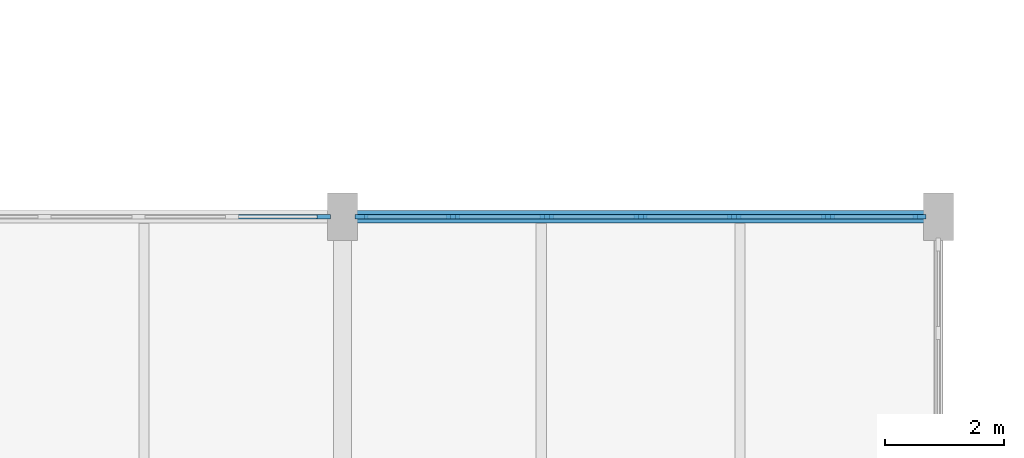
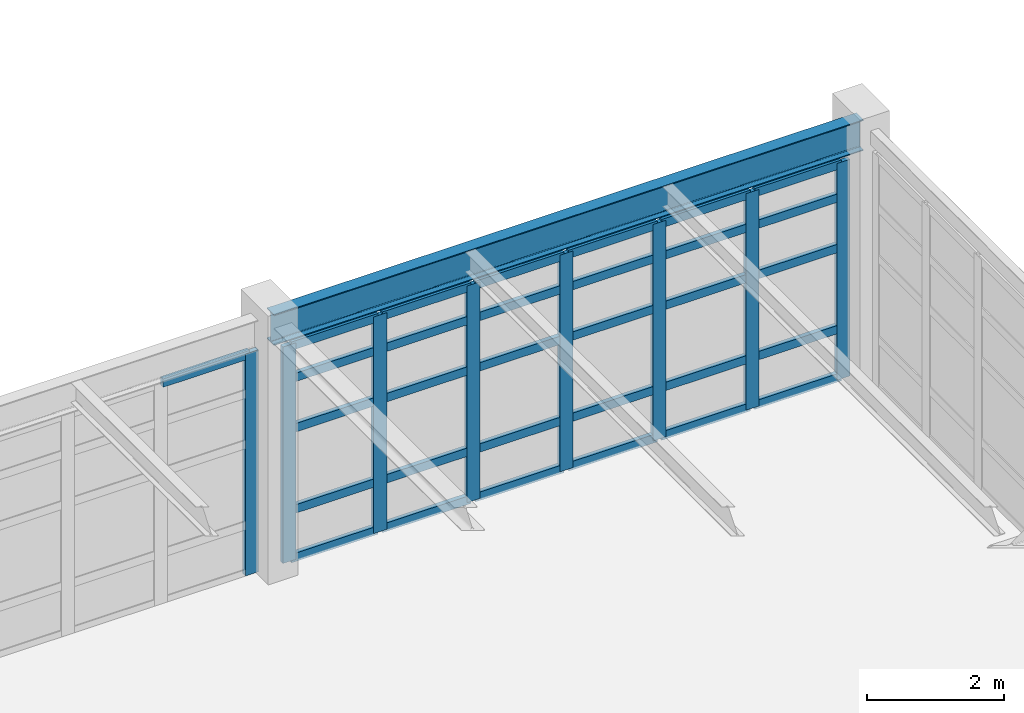
# One storey, part 78 of 139: 39 members, 1 beam, 2 elements without a shape of their own.
"""IFC4 building model written with IfcOpenShell, lengths in metres."""

from ifc_helpers import new_model, si_unit, direction, frame, origin, origin_2d, place, context, subcontext, project, spatial, rectangle, i_section, extrude, material, layer, layer_set, material_profile, profile_set, type_object, element, aggregate, save


model = new_model("IFC4")

# Units and contexts
model_context = context("Model", 3, precision=1e-05, world=origin(), true_north=direction((0.0, 1.0)))
body_context = subcontext(model_context, "Body", "Model", "MODEL_VIEW")
ifc_project = project(units=[si_unit("LENGTHUNIT", "METRE"), si_unit("AREAUNIT", "SQUARE_METRE"), si_unit("VOLUMEUNIT", "CUBIC_METRE"), si_unit("PLANEANGLEUNIT", "RADIAN"), si_unit("MASSUNIT", "GRAM", prefix="KILO"), si_unit("THERMODYNAMICTEMPERATUREUNIT", "KELVIN"), si_unit("POWERUNIT", "WATT")], contexts=[model_context])

# Site, building, storey
site_placement = place(None, origin())
site = spatial("IfcSite", under=ifc_project, at=site_placement, CompositionType="ELEMENT")
building_placement = place(site_placement, origin())
building = spatial("IfcBuilding", under=site, at=building_placement, Name="Korenveer Ferry Terminal", CompositionType="ELEMENT")
storey_placement = place(building_placement, frame((0.0, 0.0, 5.39990234375)))
storey = spatial("IfcBuildingStorey", under=building, at=storey_placement, Name="L01", CompositionType="ELEMENT", Elevation=5.39990234375)

# Curtain wall, member
ifc_material_1 = material(Name="Unitised bronze-and-glass curtain wall", Category="glass")
ifc_layer_1 = layer(ifc_material_1, 0.219970703125)
ifc_layer_set_1 = layer_set([ifc_layer_1], Name="Unitised bronze-and-glass curtain wall")
curtain_wall_type_1 = type_object("IfcCurtainWallType", Name="ENV-CW-49", PredefinedType="USERDEFINED", material=ifc_layer_set_1)
curtain_wall_1_placement = place(storey_placement, frame((156.280029296875, 80.0, 0.0)))
curtain_wall_1 = element("IfcCurtainWall", 1, at=curtain_wall_1_placement, inside=storey, type_object=curtain_wall_type_1, Name="Lancet curtain wall CWX-L01-X156-166-Y80-80", ObjectType="UNITISED CURTAIN WALL", PredefinedType="USERDEFINED")
ifc_material_2 = material(Name="Anodised bronze aluminium", Category="aluminium")
ifc_material_profile_1 = material_profile(ifc_material_2, rectangle(XDim=0.074951171875, YDim=0.219970703125, at=origin_2d()), Name="ALU 75x220")
ifc_profile_set_1 = profile_set([ifc_material_profile_1], Name="Anodised bronze aluminium")
member_type_1 = type_object("IfcMemberType", Name="ENV-CWM-75X220", PredefinedType="MULLION", material=ifc_profile_set_1)
member_1_placement = place(storey_placement, frame((165.6826171875, 80.0, 0.0), z_axis=(0.0, 0.0, 1.0), x_axis=(0.0, 1.0, 0.0)))
member_1 = element("IfcMember", 2, at=member_1_placement, type_object=member_type_1, Name="CW-49 mullion 7", PredefinedType="MULLION", context=body_context, shape_type="SweptSolid", body=[
    extrude(rectangle(XDim=0.074951171875, YDim=0.219970703125, at=origin_2d()), origin(), (0.0, 0.0, 1.0), 3.97021484375),
])

# Curtain wall, members
ifc_layer_2 = layer(ifc_material_1, 0.219970703125)
ifc_layer_set_2 = layer_set([ifc_layer_2], Name="Unitised bronze-and-glass curtain wall")
curtain_wall_type_2 = type_object("IfcCurtainWallType", Name="ENV-CW-50", PredefinedType="USERDEFINED", material=ifc_layer_set_2)
curtain_wall_2_placement = place(storey_placement, frame((166.280029296875, 80.0, 0.0)))
curtain_wall_2 = element("IfcCurtainWall", 3, at=curtain_wall_2_placement, inside=storey, type_object=curtain_wall_type_2, Name="Lancet curtain wall CWX-L01-X166-176-Y80-80", ObjectType="UNITISED CURTAIN WALL", PredefinedType="USERDEFINED")
member_2_placement = place(storey_placement, frame((166.3173828125, 80.0, 0.0), z_axis=(0.0, 0.0, 1.0), x_axis=(0.0, 1.0, 0.0)))
member_2 = element("IfcMember", 4, at=member_2_placement, type_object=member_type_1, Name="CW-50 mullion 1", PredefinedType="MULLION", context=body_context, shape_type="SweptSolid", body=[
    extrude(rectangle(XDim=0.074951171875, YDim=0.219970703125, at=origin_2d()), origin(), (0.0, 0.0, 1.0), 3.8701171875),
])
member_3_placement = place(storey_placement, frame((167.853271484375, 80.0, 0.0), z_axis=(0.0, 0.0, 1.0), x_axis=(0.0, 1.0, 0.0)))
member_3 = element("IfcMember", 5, at=member_3_placement, type_object=member_type_1, Name="CW-50 mullion 2", PredefinedType="MULLION", context=body_context, shape_type="SweptSolid", body=[
    extrude(rectangle(XDim=0.074951171875, YDim=0.219970703125, at=origin_2d()), origin(), (0.0, 0.0, 1.0), 3.8701171875),
])
member_4_placement = place(storey_placement, frame((169.4267578125, 80.0, 0.0), z_axis=(0.0, 0.0, 1.0), x_axis=(0.0, 1.0, 0.0)))
member_4 = element("IfcMember", 6, at=member_4_placement, type_object=member_type_1, Name="CW-50 mullion 3", PredefinedType="MULLION", context=body_context, shape_type="SweptSolid", body=[
    extrude(rectangle(XDim=0.074951171875, YDim=0.219970703125, at=origin_2d()), origin(), (0.0, 0.0, 1.0), 3.8701171875),
])
member_5_placement = place(storey_placement, frame((171.0, 80.0, 0.0), z_axis=(0.0, 0.0, 1.0), x_axis=(0.0, 1.0, 0.0)))
member_5 = element("IfcMember", 7, at=member_5_placement, type_object=member_type_1, Name="CW-50 mullion 4", PredefinedType="MULLION", context=body_context, shape_type="SweptSolid", body=[
    extrude(rectangle(XDim=0.074951171875, YDim=0.219970703125, at=origin_2d()), origin(), (0.0, 0.0, 1.0), 3.8701171875),
])
member_6_placement = place(storey_placement, frame((172.5732421875, 80.0, 0.0), z_axis=(0.0, 0.0, 1.0), x_axis=(0.0, 1.0, 0.0)))
member_6 = element("IfcMember", 8, at=member_6_placement, type_object=member_type_1, Name="CW-50 mullion 5", PredefinedType="MULLION", context=body_context, shape_type="SweptSolid", body=[
    extrude(rectangle(XDim=0.074951171875, YDim=0.219970703125, at=origin_2d()), origin(), (0.0, 0.0, 1.0), 3.8701171875),
])
member_7_placement = place(storey_placement, frame((174.146728515625, 80.0, 0.0), z_axis=(0.0, 0.0, 1.0), x_axis=(0.0, 1.0, 0.0)))
member_7 = element("IfcMember", 9, at=member_7_placement, type_object=member_type_1, Name="CW-50 mullion 6", PredefinedType="MULLION", context=body_context, shape_type="SweptSolid", body=[
    extrude(rectangle(XDim=0.074951171875, YDim=0.219970703125, at=origin_2d()), origin(), (0.0, 0.0, 1.0), 3.8701171875),
])
member_8_placement = place(storey_placement, frame((175.6826171875, 80.0, 0.0), z_axis=(0.0, 0.0, 1.0), x_axis=(0.0, 1.0, 0.0)))
member_8 = element("IfcMember", 10, at=member_8_placement, type_object=member_type_1, Name="CW-50 mullion 7", PredefinedType="MULLION", context=body_context, shape_type="SweptSolid", body=[
    extrude(rectangle(XDim=0.074951171875, YDim=0.219970703125, at=origin_2d()), origin(), (0.0, 0.0, 1.0), 3.8701171875),
])

# Member
ifc_material_profile_2 = material_profile(ifc_material_2, rectangle(XDim=0.074951171875, YDim=0.14990234375, at=origin_2d()), Name="ALU 75x150")
ifc_profile_set_2 = profile_set([ifc_material_profile_2], Name="Anodised bronze aluminium")
member_type_2 = type_object("IfcMemberType", Name="ENV-CWT-75X150", PredefinedType="USERDEFINED", material=ifc_profile_set_2)
member_9_placement = place(storey_placement, frame((164.18408203125, 80.0, 3.9326171875), z_axis=(1.0, 0.0, 0.0), x_axis=(0.0, 1.0, 0.0)))
member_9 = element("IfcMember", 11, at=member_9_placement, type_object=member_type_2, Name="CW-49 transom 6.5", ObjectType="TRANSOM", PredefinedType="USERDEFINED", context=body_context, shape_type="SweptSolid", body=[
    extrude(rectangle(XDim=0.074951171875, YDim=0.14990234375, at=origin_2d()), origin(), (0.0, 0.0, 1.0), 1.4609375),
])

aggregate(curtain_wall_1, [member_1, member_9])

member_10_placement = place(storey_placement, frame((166.35498046875, 80.0, 0.03759765625), z_axis=(1.0, 0.0, 0.0), x_axis=(0.0, 1.0, 0.0)))
member_10 = element("IfcMember", 12, at=member_10_placement, type_object=member_type_2, Name="CW-50 transom 1.1", ObjectType="TRANSOM", PredefinedType="USERDEFINED", context=body_context, shape_type="SweptSolid", body=[
    extrude(rectangle(XDim=0.074951171875, YDim=0.14990234375, at=origin_2d()), origin(), (0.0, 0.0, 1.0), 1.4609375),
])

member_11_placement = place(storey_placement, frame((166.35498046875, 80.0, 0.900146484375), z_axis=(1.0, 0.0, 0.0), x_axis=(0.0, 1.0, 0.0)))
member_11 = element("IfcMember", 13, at=member_11_placement, type_object=member_type_2, Name="CW-50 transom 1.2", ObjectType="TRANSOM", PredefinedType="USERDEFINED", context=body_context, shape_type="SweptSolid", body=[
    extrude(rectangle(XDim=0.074951171875, YDim=0.14990234375, at=origin_2d()), origin(), (0.0, 0.0, 1.0), 1.4609375),
])

member_12_placement = place(storey_placement, frame((166.35498046875, 80.0, 2.35009765625), z_axis=(1.0, 0.0, 0.0), x_axis=(0.0, 1.0, 0.0)))
member_12 = element("IfcMember", 14, at=member_12_placement, type_object=member_type_2, Name="CW-50 transom 1.3", ObjectType="TRANSOM", PredefinedType="USERDEFINED", context=body_context, shape_type="SweptSolid", body=[
    extrude(rectangle(XDim=0.074951171875, YDim=0.14990234375, at=origin_2d()), origin(), (0.0, 0.0, 1.0), 1.4609375),
])

member_13_placement = place(storey_placement, frame((166.35498046875, 80.0, 3.25), z_axis=(1.0, 0.0, 0.0), x_axis=(0.0, 1.0, 0.0)))
member_13 = element("IfcMember", 15, at=member_13_placement, type_object=member_type_2, Name="CW-50 transom 1.4", ObjectType="TRANSOM", PredefinedType="USERDEFINED", context=body_context, shape_type="SweptSolid", body=[
    extrude(rectangle(XDim=0.074951171875, YDim=0.14990234375, at=origin_2d()), origin(), (0.0, 0.0, 1.0), 1.4609375),
])

member_14_placement = place(storey_placement, frame((166.35498046875, 80.0, 3.83251953125), z_axis=(1.0, 0.0, 0.0), x_axis=(0.0, 1.0, 0.0)))
member_14 = element("IfcMember", 16, at=member_14_placement, type_object=member_type_2, Name="CW-50 transom 1.5", ObjectType="TRANSOM", PredefinedType="USERDEFINED", context=body_context, shape_type="SweptSolid", body=[
    extrude(rectangle(XDim=0.074951171875, YDim=0.14990234375, at=origin_2d()), origin(), (0.0, 0.0, 1.0), 1.4609375),
])

member_15_placement = place(storey_placement, frame((167.890869140625, 80.0, 0.03759765625), z_axis=(1.0, 0.0, 0.0), x_axis=(0.0, 1.0, 0.0)))
member_15 = element("IfcMember", 17, at=member_15_placement, type_object=member_type_2, Name="CW-50 transom 2.1", ObjectType="TRANSOM", PredefinedType="USERDEFINED", context=body_context, shape_type="SweptSolid", body=[
    extrude(rectangle(XDim=0.074951171875, YDim=0.14990234375, at=origin_2d()), origin(), (0.0, 0.0, 1.0), 1.498291015625),
])

member_16_placement = place(storey_placement, frame((167.890869140625, 80.0, 0.900146484375), z_axis=(1.0, 0.0, 0.0), x_axis=(0.0, 1.0, 0.0)))
member_16 = element("IfcMember", 18, at=member_16_placement, type_object=member_type_2, Name="CW-50 transom 2.2", ObjectType="TRANSOM", PredefinedType="USERDEFINED", context=body_context, shape_type="SweptSolid", body=[
    extrude(rectangle(XDim=0.074951171875, YDim=0.14990234375, at=origin_2d()), origin(), (0.0, 0.0, 1.0), 1.498291015625),
])

member_17_placement = place(storey_placement, frame((167.890869140625, 80.0, 2.35009765625), z_axis=(1.0, 0.0, 0.0), x_axis=(0.0, 1.0, 0.0)))
member_17 = element("IfcMember", 19, at=member_17_placement, type_object=member_type_2, Name="CW-50 transom 2.3", ObjectType="TRANSOM", PredefinedType="USERDEFINED", context=body_context, shape_type="SweptSolid", body=[
    extrude(rectangle(XDim=0.074951171875, YDim=0.14990234375, at=origin_2d()), origin(), (0.0, 0.0, 1.0), 1.498291015625),
])

member_18_placement = place(storey_placement, frame((167.890869140625, 80.0, 3.25), z_axis=(1.0, 0.0, 0.0), x_axis=(0.0, 1.0, 0.0)))
member_18 = element("IfcMember", 20, at=member_18_placement, type_object=member_type_2, Name="CW-50 transom 2.4", ObjectType="TRANSOM", PredefinedType="USERDEFINED", context=body_context, shape_type="SweptSolid", body=[
    extrude(rectangle(XDim=0.074951171875, YDim=0.14990234375, at=origin_2d()), origin(), (0.0, 0.0, 1.0), 1.498291015625),
])

member_19_placement = place(storey_placement, frame((167.890869140625, 80.0, 3.83251953125), z_axis=(1.0, 0.0, 0.0), x_axis=(0.0, 1.0, 0.0)))
member_19 = element("IfcMember", 21, at=member_19_placement, type_object=member_type_2, Name="CW-50 transom 2.5", ObjectType="TRANSOM", PredefinedType="USERDEFINED", context=body_context, shape_type="SweptSolid", body=[
    extrude(rectangle(XDim=0.074951171875, YDim=0.14990234375, at=origin_2d()), origin(), (0.0, 0.0, 1.0), 1.498291015625),
])

member_20_placement = place(storey_placement, frame((169.464111328125, 80.0, 0.03759765625), z_axis=(1.0, 0.0, 0.0), x_axis=(0.0, 1.0, 0.0)))
member_20 = element("IfcMember", 22, at=member_20_placement, type_object=member_type_2, Name="CW-50 transom 3.1", ObjectType="TRANSOM", PredefinedType="USERDEFINED", context=body_context, shape_type="SweptSolid", body=[
    extrude(rectangle(XDim=0.074951171875, YDim=0.14990234375, at=origin_2d()), origin(), (0.0, 0.0, 1.0), 1.498291015625),
])

member_21_placement = place(storey_placement, frame((169.464111328125, 80.0, 0.900146484375), z_axis=(1.0, 0.0, 0.0), x_axis=(0.0, 1.0, 0.0)))
member_21 = element("IfcMember", 23, at=member_21_placement, type_object=member_type_2, Name="CW-50 transom 3.2", ObjectType="TRANSOM", PredefinedType="USERDEFINED", context=body_context, shape_type="SweptSolid", body=[
    extrude(rectangle(XDim=0.074951171875, YDim=0.14990234375, at=origin_2d()), origin(), (0.0, 0.0, 1.0), 1.498291015625),
])

member_22_placement = place(storey_placement, frame((169.464111328125, 80.0, 2.35009765625), z_axis=(1.0, 0.0, 0.0), x_axis=(0.0, 1.0, 0.0)))
member_22 = element("IfcMember", 24, at=member_22_placement, type_object=member_type_2, Name="CW-50 transom 3.3", ObjectType="TRANSOM", PredefinedType="USERDEFINED", context=body_context, shape_type="SweptSolid", body=[
    extrude(rectangle(XDim=0.074951171875, YDim=0.14990234375, at=origin_2d()), origin(), (0.0, 0.0, 1.0), 1.498291015625),
])

member_23_placement = place(storey_placement, frame((169.464111328125, 80.0, 3.25), z_axis=(1.0, 0.0, 0.0), x_axis=(0.0, 1.0, 0.0)))
member_23 = element("IfcMember", 25, at=member_23_placement, type_object=member_type_2, Name="CW-50 transom 3.4", ObjectType="TRANSOM", PredefinedType="USERDEFINED", context=body_context, shape_type="SweptSolid", body=[
    extrude(rectangle(XDim=0.074951171875, YDim=0.14990234375, at=origin_2d()), origin(), (0.0, 0.0, 1.0), 1.498291015625),
])

member_24_placement = place(storey_placement, frame((169.464111328125, 80.0, 3.83251953125), z_axis=(1.0, 0.0, 0.0), x_axis=(0.0, 1.0, 0.0)))
member_24 = element("IfcMember", 26, at=member_24_placement, type_object=member_type_2, Name="CW-50 transom 3.5", ObjectType="TRANSOM", PredefinedType="USERDEFINED", context=body_context, shape_type="SweptSolid", body=[
    extrude(rectangle(XDim=0.074951171875, YDim=0.14990234375, at=origin_2d()), origin(), (0.0, 0.0, 1.0), 1.498291015625),
])

member_25_placement = place(storey_placement, frame((171.03759765625, 80.0, 0.03759765625), z_axis=(1.0, 0.0, 0.0), x_axis=(0.0, 1.0, 0.0)))
member_25 = element("IfcMember", 27, at=member_25_placement, type_object=member_type_2, Name="CW-50 transom 4.1", ObjectType="TRANSOM", PredefinedType="USERDEFINED", context=body_context, shape_type="SweptSolid", body=[
    extrude(rectangle(XDim=0.074951171875, YDim=0.14990234375, at=origin_2d()), origin(), (0.0, 0.0, 1.0), 1.498291015625),
])

member_26_placement = place(storey_placement, frame((171.03759765625, 80.0, 0.900146484375), z_axis=(1.0, 0.0, 0.0), x_axis=(0.0, 1.0, 0.0)))
member_26 = element("IfcMember", 28, at=member_26_placement, type_object=member_type_2, Name="CW-50 transom 4.2", ObjectType="TRANSOM", PredefinedType="USERDEFINED", context=body_context, shape_type="SweptSolid", body=[
    extrude(rectangle(XDim=0.074951171875, YDim=0.14990234375, at=origin_2d()), origin(), (0.0, 0.0, 1.0), 1.498291015625),
])

member_27_placement = place(storey_placement, frame((171.03759765625, 80.0, 2.35009765625), z_axis=(1.0, 0.0, 0.0), x_axis=(0.0, 1.0, 0.0)))
member_27 = element("IfcMember", 29, at=member_27_placement, type_object=member_type_2, Name="CW-50 transom 4.3", ObjectType="TRANSOM", PredefinedType="USERDEFINED", context=body_context, shape_type="SweptSolid", body=[
    extrude(rectangle(XDim=0.074951171875, YDim=0.14990234375, at=origin_2d()), origin(), (0.0, 0.0, 1.0), 1.498291015625),
])

member_28_placement = place(storey_placement, frame((171.03759765625, 80.0, 3.25), z_axis=(1.0, 0.0, 0.0), x_axis=(0.0, 1.0, 0.0)))
member_28 = element("IfcMember", 30, at=member_28_placement, type_object=member_type_2, Name="CW-50 transom 4.4", ObjectType="TRANSOM", PredefinedType="USERDEFINED", context=body_context, shape_type="SweptSolid", body=[
    extrude(rectangle(XDim=0.074951171875, YDim=0.14990234375, at=origin_2d()), origin(), (0.0, 0.0, 1.0), 1.498291015625),
])

member_29_placement = place(storey_placement, frame((171.03759765625, 80.0, 3.83251953125), z_axis=(1.0, 0.0, 0.0), x_axis=(0.0, 1.0, 0.0)))
member_29 = element("IfcMember", 31, at=member_29_placement, type_object=member_type_2, Name="CW-50 transom 4.5", ObjectType="TRANSOM", PredefinedType="USERDEFINED", context=body_context, shape_type="SweptSolid", body=[
    extrude(rectangle(XDim=0.074951171875, YDim=0.14990234375, at=origin_2d()), origin(), (0.0, 0.0, 1.0), 1.498291015625),
])

member_30_placement = place(storey_placement, frame((172.61083984375, 80.0, 0.03759765625), z_axis=(1.0, 0.0, 0.0), x_axis=(0.0, 1.0, 0.0)))
member_30 = element("IfcMember", 32, at=member_30_placement, type_object=member_type_2, Name="CW-50 transom 5.1", ObjectType="TRANSOM", PredefinedType="USERDEFINED", context=body_context, shape_type="SweptSolid", body=[
    extrude(rectangle(XDim=0.074951171875, YDim=0.14990234375, at=origin_2d()), origin(), (0.0, 0.0, 1.0), 1.498291015625),
])

member_31_placement = place(storey_placement, frame((172.61083984375, 80.0, 0.900146484375), z_axis=(1.0, 0.0, 0.0), x_axis=(0.0, 1.0, 0.0)))
member_31 = element("IfcMember", 33, at=member_31_placement, type_object=member_type_2, Name="CW-50 transom 5.2", ObjectType="TRANSOM", PredefinedType="USERDEFINED", context=body_context, shape_type="SweptSolid", body=[
    extrude(rectangle(XDim=0.074951171875, YDim=0.14990234375, at=origin_2d()), origin(), (0.0, 0.0, 1.0), 1.498291015625),
])

member_32_placement = place(storey_placement, frame((172.61083984375, 80.0, 2.35009765625), z_axis=(1.0, 0.0, 0.0), x_axis=(0.0, 1.0, 0.0)))
member_32 = element("IfcMember", 34, at=member_32_placement, type_object=member_type_2, Name="CW-50 transom 5.3", ObjectType="TRANSOM", PredefinedType="USERDEFINED", context=body_context, shape_type="SweptSolid", body=[
    extrude(rectangle(XDim=0.074951171875, YDim=0.14990234375, at=origin_2d()), origin(), (0.0, 0.0, 1.0), 1.498291015625),
])

member_33_placement = place(storey_placement, frame((172.61083984375, 80.0, 3.25), z_axis=(1.0, 0.0, 0.0), x_axis=(0.0, 1.0, 0.0)))
member_33 = element("IfcMember", 35, at=member_33_placement, type_object=member_type_2, Name="CW-50 transom 5.4", ObjectType="TRANSOM", PredefinedType="USERDEFINED", context=body_context, shape_type="SweptSolid", body=[
    extrude(rectangle(XDim=0.074951171875, YDim=0.14990234375, at=origin_2d()), origin(), (0.0, 0.0, 1.0), 1.498291015625),
])

member_34_placement = place(storey_placement, frame((172.61083984375, 80.0, 3.83251953125), z_axis=(1.0, 0.0, 0.0), x_axis=(0.0, 1.0, 0.0)))
member_34 = element("IfcMember", 36, at=member_34_placement, type_object=member_type_2, Name="CW-50 transom 5.5", ObjectType="TRANSOM", PredefinedType="USERDEFINED", context=body_context, shape_type="SweptSolid", body=[
    extrude(rectangle(XDim=0.074951171875, YDim=0.14990234375, at=origin_2d()), origin(), (0.0, 0.0, 1.0), 1.498291015625),
])

member_35_placement = place(storey_placement, frame((174.18408203125, 80.0, 0.03759765625), z_axis=(1.0, 0.0, 0.0), x_axis=(0.0, 1.0, 0.0)))
member_35 = element("IfcMember", 37, at=member_35_placement, type_object=member_type_2, Name="CW-50 transom 6.1", ObjectType="TRANSOM", PredefinedType="USERDEFINED", context=body_context, shape_type="SweptSolid", body=[
    extrude(rectangle(XDim=0.074951171875, YDim=0.14990234375, at=origin_2d()), origin(), (0.0, 0.0, 1.0), 1.4609375),
])

member_36_placement = place(storey_placement, frame((174.18408203125, 80.0, 0.900146484375), z_axis=(1.0, 0.0, 0.0), x_axis=(0.0, 1.0, 0.0)))
member_36 = element("IfcMember", 38, at=member_36_placement, type_object=member_type_2, Name="CW-50 transom 6.2", ObjectType="TRANSOM", PredefinedType="USERDEFINED", context=body_context, shape_type="SweptSolid", body=[
    extrude(rectangle(XDim=0.074951171875, YDim=0.14990234375, at=origin_2d()), origin(), (0.0, 0.0, 1.0), 1.4609375),
])

member_37_placement = place(storey_placement, frame((174.18408203125, 80.0, 2.35009765625), z_axis=(1.0, 0.0, 0.0), x_axis=(0.0, 1.0, 0.0)))
member_37 = element("IfcMember", 39, at=member_37_placement, type_object=member_type_2, Name="CW-50 transom 6.3", ObjectType="TRANSOM", PredefinedType="USERDEFINED", context=body_context, shape_type="SweptSolid", body=[
    extrude(rectangle(XDim=0.074951171875, YDim=0.14990234375, at=origin_2d()), origin(), (0.0, 0.0, 1.0), 1.4609375),
])

member_38_placement = place(storey_placement, frame((174.18408203125, 80.0, 3.25), z_axis=(1.0, 0.0, 0.0), x_axis=(0.0, 1.0, 0.0)))
member_38 = element("IfcMember", 40, at=member_38_placement, type_object=member_type_2, Name="CW-50 transom 6.4", ObjectType="TRANSOM", PredefinedType="USERDEFINED", context=body_context, shape_type="SweptSolid", body=[
    extrude(rectangle(XDim=0.074951171875, YDim=0.14990234375, at=origin_2d()), origin(), (0.0, 0.0, 1.0), 1.4609375),
])

member_39_placement = place(storey_placement, frame((174.18408203125, 80.0, 3.83251953125), z_axis=(1.0, 0.0, 0.0), x_axis=(0.0, 1.0, 0.0)))
member_39 = element("IfcMember", 41, at=member_39_placement, type_object=member_type_2, Name="CW-50 transom 6.5", ObjectType="TRANSOM", PredefinedType="USERDEFINED", context=body_context, shape_type="SweptSolid", body=[
    extrude(rectangle(XDim=0.074951171875, YDim=0.14990234375, at=origin_2d()), origin(), (0.0, 0.0, 1.0), 1.4609375),
])

aggregate(curtain_wall_2, [member_2, member_3, member_4, member_5, member_6, member_7, member_8, member_10, member_11, member_12, member_13, member_14, member_15, member_16, member_17, member_18, member_19, member_20, member_21, member_22, member_23, member_24, member_25, member_26, member_27, member_28, member_29, member_30, member_31, member_32, member_33, member_34, member_35, member_36, member_37, member_38, member_39])

# Beam
ifc_material_3 = material(Name="Steel S355", Category="steel")
ifc_material_profile_3 = material_profile(ifc_material_3, i_section(OverallWidth=0.2099609375, OverallDepth=0.550048828125, WebThickness=0.010986328125, FlangeThickness=0.01708984375, FilletRadius=0.02392578125, at=origin_2d()), Name="IPE 550")
ifc_profile_set_3 = profile_set([ifc_material_profile_3], Name="Steel S355")
beam_type = type_object("IfcBeamType", Name="STR-BM-IPE550", PredefinedType="BEAM", material=ifc_profile_set_3)
beam_placement = place(storey_placement, frame((166.02001953125, 80.0, 4.275146484375), z_axis=(1.0, 0.0, 0.0), x_axis=(0.0, 1.0, 0.0)))
element("IfcBeam", 42, at=beam_placement, inside=storey, type_object=beam_type, Name="Primary X girder BMX-L02-X166-176-Y80", PredefinedType="BEAM", context=body_context, shape_type="SweptSolid", body=[
    extrude(i_section(OverallWidth=0.2099609375, OverallDepth=0.550048828125, WebThickness=0.010986328125, FlangeThickness=0.01708984375, FilletRadius=0.02392578125, at=origin_2d()), origin(), (0.0, 0.0, 1.0), 9.9599609375),
])

save(model, "model.ifc")
